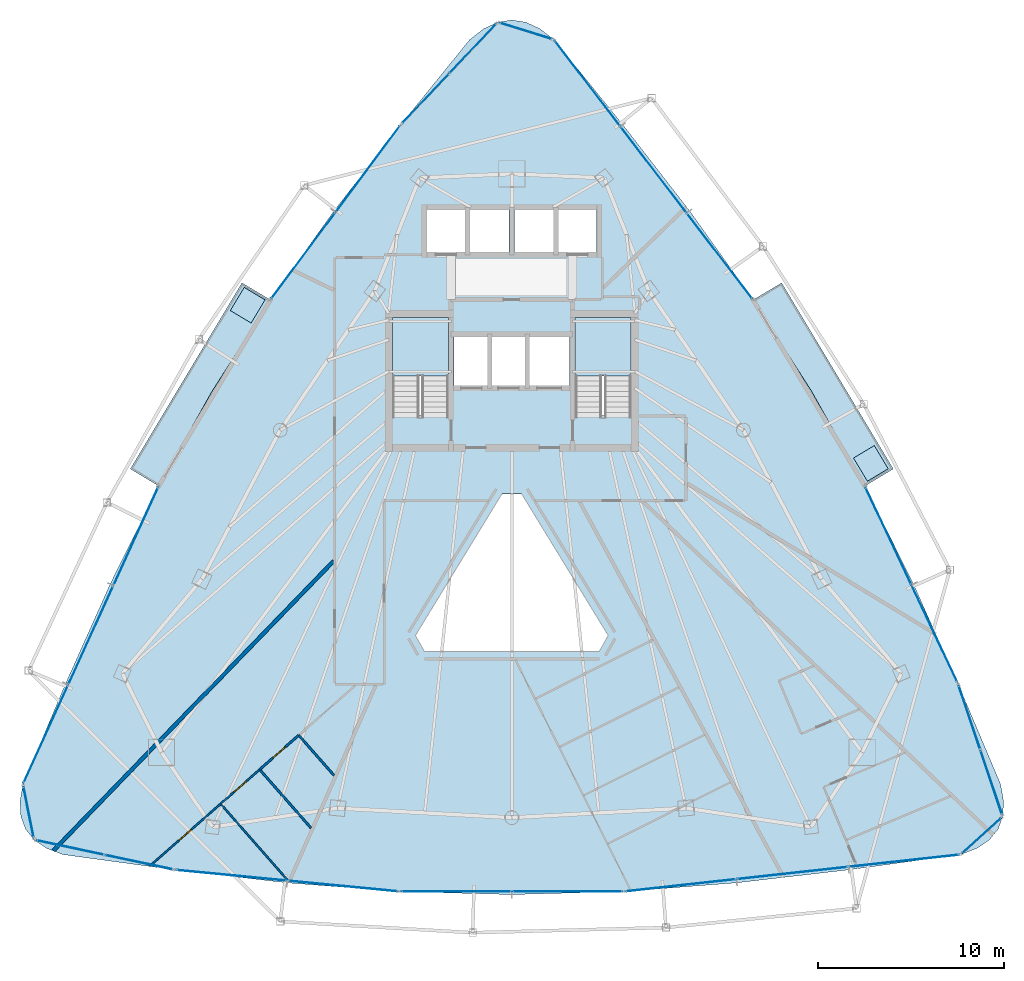
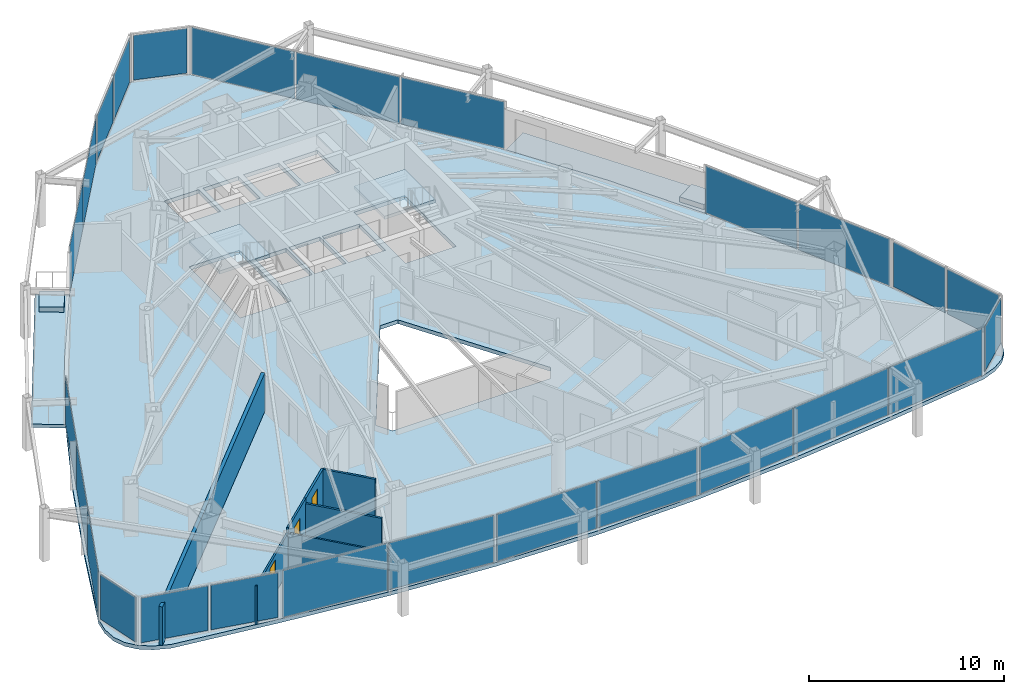
# One storey, part 25 of 31: 26 plates, 7 slabs, 7 walls, 3 doors, 3 openings, 15 elements without a shape of their own.
"""IFC4 building model written with IfcOpenShell, lengths in metres."""

import ifcopenshell
import ifcopenshell.guid

model = None  # the IFC model being written
_history = None  # IfcOwnerHistory: only IFC2X3 demands one
_inside = {}  # id of a spatial element -> (the spatial element, [elements in it])
_under = {}  # id of a project, library or spatial element -> (it, [spatial elements below it])
_declared = {}  # id of a project -> (the project, [libraries it declares])
_typed = {}  # id of a type object -> (the type object, [elements of that type])
_made_of = {}  # id of a material, layer set ... -> (it, [elements and type objects made of it])


def new_model(schema):
    """Start an empty IFC model of exactly this schema.

    Asked for "IFC4X3", IfcOpenShell would pick the latest addendum, in which some entities
    have other attributes; the version numbers below select the first issue.
    IFC2X3 requires an IfcOwnerHistory on every rooted entity: one is made here for all.
    """
    global model, _history
    if schema == "IFC4X3":
        model = ifcopenshell.file(schema_version=(4, 3, 0, 0))
    else:
        model = ifcopenshell.file(schema=schema)
    _inside.clear()
    _under.clear()
    _declared.clear()
    _typed.clear()
    _made_of.clear()
    _history = None
    if model.schema == "IFC2X3":
        org = make("IfcOrganization", Name="unknown")
        user = make(
            "IfcPersonAndOrganization",
            ThePerson=make("IfcPerson", FamilyName="unknown"),
            TheOrganization=org,
        )
        app = make(
            "IfcApplication",
            ApplicationDeveloper=org,
            Version="unknown",
            ApplicationFullName="unknown",
            ApplicationIdentifier="unknown",
        )
        _history = make(
            "IfcOwnerHistory",
            OwningUser=user,
            OwningApplication=app,
            ChangeAction="ADDED",
            CreationDate=0,
        )
    return model


def make(cls, **values):
    """One entity of the class cls with the attributes given. An attribute that is None is left unset."""
    return model.create_entity(
        cls, **{name: value for name, value in values.items() if value is not None}
    )


def rooted(cls, **values):
    """An entity with a GlobalId (a new one), such as an element, a storey or a relation."""
    return make(cls, GlobalId=ifcopenshell.guid.new(), OwnerHistory=_history, **values)


def si_unit(unit_type, name, prefix=None):
    """IfcSIUnit, for example si_unit("LENGTHUNIT", "METRE", prefix="MILLI")."""
    return make("IfcSIUnit", UnitType=unit_type, Prefix=prefix, Name=name)


def assignment(units):
    """IfcUnitAssignment: the units of a project."""
    return None if units is None else make("IfcUnitAssignment", Units=units)


def point(xyz):
    """IfcCartesianPoint."""
    return None if xyz is None else make("IfcCartesianPoint", Coordinates=xyz)


def direction(xyz):
    """IfcDirection."""
    return None if xyz is None else make("IfcDirection", DirectionRatios=xyz)


def frame(location, z_axis=None, x_axis=None):
    """IfcAxis2Placement3D, a coordinate frame: its origin and axes. An axis left out is left unset."""
    return make(
        "IfcAxis2Placement3D",
        Location=point(location),
        Axis=direction(z_axis),
        RefDirection=direction(x_axis),
    )


def frame_2d(location, x_axis=None):
    """IfcAxis2Placement2D, a coordinate frame in the plane: its origin and x axis."""
    return make(
        "IfcAxis2Placement2D", Location=point(location), RefDirection=direction(x_axis)
    )


def origin():
    """The frame at (0, 0, 0) with its axes left unset."""
    return frame((0.0, 0.0, 0.0))


def origin_2d():
    """The frame at (0, 0) in the plane with its x axis left unset."""
    return frame_2d((0.0, 0.0))


def place(relative_to, where):
    """IfcLocalPlacement: puts the frame where relative to a parent placement (None: the world)."""
    return make(
        "IfcLocalPlacement", PlacementRelTo=relative_to, RelativePlacement=where
    )


def context(
    kind, dimensions, precision=None, world=None, true_north=None, identifier=None
):
    """IfcGeometricRepresentationContext, for example the 3D "Model" context."""
    return make(
        "IfcGeometricRepresentationContext",
        ContextIdentifier=identifier,
        ContextType=kind,
        CoordinateSpaceDimension=dimensions,
        Precision=precision,
        WorldCoordinateSystem=world,
        TrueNorth=true_north,
    )


def subcontext(parent, identifier, kind, view, scale=None):
    """IfcGeometricRepresentationSubContext, for example "Body" below "Model"."""
    return make(
        "IfcGeometricRepresentationSubContext",
        ContextIdentifier=identifier,
        ContextType=kind,
        ParentContext=parent,
        TargetScale=scale,
        TargetView=view,
    )


def project(units=None, contexts=None):
    """IfcProject with its units and contexts."""
    return rooted(
        "IfcProject",
        Name="project",
        RepresentationContexts=contexts,
        UnitsInContext=assignment(units),
    )


def spatial(cls, under=None, at=None, **own):
    """A site, building, storey or space (cls), placed at a placement, below another one or the project."""
    s = rooted(cls, ObjectPlacement=at, **own)
    if under is not None:
        _under.setdefault(under.id(), (under, []))[1].append(s)
    return s


def polyline(points):
    """IfcPolyline through the points."""
    return make("IfcPolyline", Points=[point(p) for p in points])


def profile(cls, at=None, kind="AREA", **sizes):
    """A parametric profile (cls). Its sizes go by their IFC names, for example OverallWidth=200.0."""
    return make(cls, ProfileType=kind, Position=at, **sizes)


def rectangle(**sizes):
    """IfcRectangleProfileDef."""
    return profile("IfcRectangleProfileDef", **sizes)


def outline(outer, holes=None, kind="AREA"):
    """IfcArbitraryClosedProfileDef: a profile drawn as a closed curve; with holes, ...WithVoids."""
    if holes is None:
        return make("IfcArbitraryClosedProfileDef", ProfileType=kind, OuterCurve=outer)
    return make(
        "IfcArbitraryProfileDefWithVoids",
        ProfileType=kind,
        OuterCurve=outer,
        InnerCurves=holes,
    )


def extrude(swept, where, along, depth):
    """IfcExtrudedAreaSolid: the profile swept, set in the frame where, extruded along a direction by depth."""
    return make(
        "IfcExtrudedAreaSolid",
        SweptArea=swept,
        Position=where,
        ExtrudedDirection=direction(along),
        Depth=depth,
    )


def shape(context_of_items, identifier, shape_type, items):
    """IfcShapeRepresentation: the items that make up one representation, for example the "Body"."""
    return make(
        "IfcShapeRepresentation",
        ContextOfItems=context_of_items,
        RepresentationIdentifier=identifier,
        RepresentationType=shape_type,
        Items=items,
    )


def material(Name=None, Category=None):
    """IfcMaterial."""
    return make("IfcMaterial", Name=Name, Category=Category)


def layer(
    of_material, thickness, ventilated=None, Name=None, Category=None, Priority=None
):
    """IfcMaterialLayer: one layer of a wall or slab, of a material (None: an air gap)."""
    return make(
        "IfcMaterialLayer",
        Material=of_material,
        LayerThickness=thickness,
        IsVentilated=ventilated,
        Name=Name,
        Category=Category,
        Priority=Priority,
    )


def layer_set(layers, Name=None):
    """IfcMaterialLayerSet."""
    return make("IfcMaterialLayerSet", MaterialLayers=layers, LayerSetName=Name)


def made_of(thing, what):
    """Note that an element or type object is made of a material, layer set ...; save() writes the relation."""
    if what is not None:
        _made_of.setdefault(what.id(), (what, []))[1].append(thing)
    return thing


def type_object(cls, material=None, **own):
    """A type object (cls), such as IfcWallType, which elements share."""
    return made_of(rooted(cls, **own), material)


def element(
    cls,
    number,
    at=None,
    inside=None,
    cuts=None,
    type_object=None,
    material=None,
    context=None,
    identifier="Body",
    shape_type=None,
    held_by="IfcProductDefinitionShape",
    body=None,
    shapes=None,
    **own,
):
    """One element of the class cls, such as IfcWall. Its Tag is "e" and its number.

    at: its placement. inside: the storey or other place that contains it. cuts: it is an
    opening in that element (IfcRelVoidsElement). A single representation is given by context,
    identifier, shape_type and body (its items); several are given by shapes. held_by: the class
    of the entity that holds the representations. save() writes the other relations.
    """
    e = rooted(cls, Tag="e%d" % number, ObjectPlacement=at, **own)
    if body is not None:
        shapes = [shape(context, identifier, shape_type, body)]
    if shapes is not None:
        e.Representation = make(held_by, Representations=shapes)
    if inside is not None:
        _inside.setdefault(inside.id(), (inside, []))[1].append(e)
    if cuts is not None:
        rooted(
            "IfcRelVoidsElement", RelatingBuildingElement=cuts, RelatedOpeningElement=e
        )
    if type_object is not None:
        _typed.setdefault(type_object.id(), (type_object, []))[1].append(e)
    return made_of(e, material)


def fill(opening, filler):
    """IfcRelFillsElement: the door or window that sits in an opening."""
    return rooted(
        "IfcRelFillsElement",
        RelatingOpeningElement=opening,
        RelatedBuildingElement=filler,
    )


def aggregate(whole, parts):
    """IfcRelAggregates: a whole, such as a stair, and the parts it consists of."""
    return rooted("IfcRelAggregates", RelatingObject=whole, RelatedObjects=parts)


def save(model, path):
    """Write the relations noted so far, then the file.

    IfcRelAggregates (storeys below a building ...), IfcRelContainedInSpatialStructure (elements
    in a storey), IfcRelDefinesByType, IfcRelAssociatesMaterial and IfcRelDeclares: one each for
    every whole, place, type object, material and project.
    """
    for whole, parts in _under.values():
        aggregate(whole, parts)
    for where, things in _inside.values():
        rooted(
            "IfcRelContainedInSpatialStructure",
            RelatedElements=things,
            RelatingStructure=where,
        )
    for kind, things in _typed.values():
        rooted("IfcRelDefinesByType", RelatedObjects=things, RelatingType=kind)
    for what, things in _made_of.values():
        rooted("IfcRelAssociatesMaterial", RelatedObjects=things, RelatingMaterial=what)
    for by, libraries in _declared.values():
        rooted("IfcRelDeclares", RelatingContext=by, RelatedDefinitions=libraries)
    model.write(path)


model = new_model("IFC4")

# Units and contexts
model_context = context("Model", 3, precision=1e-05, world=origin(), true_north=direction((0.0, 1.0)))
body_context = subcontext(model_context, "Body", "Model", "MODEL_VIEW")
ifc_project = project(units=[si_unit("LENGTHUNIT", "METRE"), si_unit("AREAUNIT", "SQUARE_METRE"), si_unit("VOLUMEUNIT", "CUBIC_METRE"), si_unit("PLANEANGLEUNIT", "RADIAN"), si_unit("MASSUNIT", "GRAM", prefix="KILO")], contexts=[model_context])

# Site, building, storey
site_placement = place(None, origin())
site = spatial("IfcSite", under=ifc_project, at=site_placement, CompositionType="ELEMENT")
building_placement = place(site_placement, origin())
building = spatial("IfcBuilding", under=site, at=building_placement, Name="Orvanel Arch Residences", CompositionType="ELEMENT")
storey_placement = place(building_placement, frame((0.0, 0.0, 110.0)))
storey = spatial("IfcBuildingStorey", under=building, at=storey_placement, Name="L30", CompositionType="ELEMENT", Elevation=110.0)

# Curtain wall, plates
ifc_material_1 = material(Name="Bronze-anodised aluminium AA6063-T6", Category="aluminium")
ifc_layer_1 = layer(ifc_material_1, 0.179931640625)
ifc_layer_set_1 = layer_set([ifc_layer_1], Name="Bronze-anodised aluminium AA6063-T6")
curtain_wall_type_1 = type_object("IfcCurtainWallType", Name="CW3-MID-SYS", PredefinedType="NOTDEFINED", material=ifc_layer_set_1)
curtain_wall_1_placement = place(storey_placement, origin())
curtain_wall_1 = element("IfcCurtainWall", 1, at=curtain_wall_1_placement, inside=storey, type_object=curtain_wall_type_1, Name="L30 CW3-MID-SYS Unitised Curtain Wall", PredefinedType="NOTDEFINED")
ifc_material_2 = material(Name="Double-glazed solar-control low-E safety glass", Category="glass")
ifc_layer_2 = layer(ifc_material_2, 0.028076171875)
ifc_layer_set_2 = layer_set([ifc_layer_2], Name="Double-glazed solar-control low-E safety glass")
plate_type_1 = type_object("IfcPlateType", Name="PNL-GLZ-28", PredefinedType="CURTAIN_PANEL", material=ifc_layer_set_2)
plate_1_placement = place(storey_placement, frame((25.26953125, 41.6552734375, 0.06005859375), z_axis=(0.0, 0.0, 1.0), x_axis=(-0.596964580755, -0.802267592094, 0.0)))
plate_1 = element("IfcPlate", 2, at=plate_1_placement, type_object=plate_type_1, Name="CW-S3 panel 1.1", PredefinedType="CURTAIN_PANEL", context=body_context, shape_type="SweptSolid", body=[
    extrude(rectangle(XDim=5.727783203125, YDim=0.028076171875, at=origin_2d()), origin(), (0.0, 0.0, 1.0), 2.93994140625),
])
plate_2_placement = place(storey_placement, frame((21.808349609375, 37.00390625, 0.06005859375), z_axis=(0.0, 0.0, 1.0), x_axis=(-0.596964580755, -0.802267592094, 0.0)))
plate_2 = element("IfcPlate", 3, at=plate_2_placement, type_object=plate_type_1, Name="CW-S3 panel 2.1", PredefinedType="CURTAIN_PANEL", context=body_context, shape_type="SweptSolid", body=[
    extrude(rectangle(XDim=5.727783203125, YDim=0.028076171875, at=origin_2d()), origin(), (0.0, 0.0, 1.0), 2.93994140625),
])
aggregate(curtain_wall_1, [plate_1, plate_2])

curtain_wall_2_placement = place(storey_placement, origin())
curtain_wall_2 = element("IfcCurtainWall", 4, at=curtain_wall_2_placement, inside=storey, type_object=curtain_wall_type_1, Name="L30 CW3-MID-SYS Unitised Curtain Wall", PredefinedType="NOTDEFINED")
plate_3_placement = place(storey_placement, frame((12.826171875, 21.94970703125, 0.06005859375), z_axis=(0.0, 0.0, 1.0), x_axis=(-0.414361115258, -0.910112556864, 0.0)))
plate_3 = element("IfcPlate", 5, at=plate_3_placement, type_object=plate_type_1, Name="CW-S3 panel 1.1", PredefinedType="CURTAIN_PANEL", context=body_context, shape_type="SweptSolid", body=[
    extrude(rectangle(XDim=5.743408203125, YDim=0.028076171875, at=origin_2d()), origin(), (0.0, 0.0, 1.0), 2.93994140625),
])
plate_4_placement = place(storey_placement, frame((10.409912109375, 16.64306640625, 0.06005859375), z_axis=(0.0, 0.0, 1.0), x_axis=(-0.414361115258, -0.910112556864, 0.0)))
plate_4 = element("IfcPlate", 6, at=plate_4_placement, type_object=plate_type_1, Name="CW-S3 panel 2.1", PredefinedType="CURTAIN_PANEL", context=body_context, shape_type="SweptSolid", body=[
    extrude(rectangle(XDim=5.7783203125, YDim=0.028076171875, at=origin_2d()), origin(), (0.0, 0.0, 1.0), 2.93994140625),
])
plate_5_placement = place(storey_placement, frame((7.993896484375, 11.336181640625, 0.06005859375), z_axis=(0.0, 0.0, 1.0), x_axis=(-0.414361115258, -0.910112556864, 0.0)))
plate_5 = element("IfcPlate", 7, at=plate_5_placement, type_object=plate_type_1, Name="CW-S3 panel 3.1", PredefinedType="CURTAIN_PANEL", context=body_context, shape_type="SweptSolid", body=[
    extrude(rectangle(XDim=5.743408203125, YDim=0.028076171875, at=origin_2d()), origin(), (0.0, 0.0, 1.0), 2.93994140625),
])
aggregate(curtain_wall_2, [plate_3, plate_4, plate_5])

curtain_wall_3_placement = place(storey_placement, origin())
curtain_wall_3 = element("IfcCurtainWall", 8, at=curtain_wall_3_placement, inside=storey, type_object=curtain_wall_type_1, Name="L30 CW3-MID-SYS Unitised Curtain Wall", PredefinedType="NOTDEFINED")
plate_6_placement = place(storey_placement, frame((17.96923828125, 3.747802734375, 0.06005859375), z_axis=(0.0, 0.0, 1.0), x_axis=(0.995381496434, -0.095998315385, 0.0)))
plate_6 = element("IfcPlate", 9, at=plate_6_placement, type_object=plate_type_1, Name="CW-S3 panel 1.1", PredefinedType="CURTAIN_PANEL", context=body_context, shape_type="SweptSolid", body=[
    extrude(rectangle(XDim=5.92626953125, YDim=0.028076171875, at=origin_2d()), origin(), (0.0, 0.0, 1.0), 2.93994140625),
])
plate_7_placement = place(storey_placement, frame((23.937744140625, 3.172119140625, 0.06005859375), z_axis=(0.0, 0.0, 1.0), x_axis=(0.995381496434, -0.095998315385, 0.0)))
plate_7 = element("IfcPlate", 10, at=plate_7_placement, type_object=plate_type_1, Name="CW-S3 panel 2.1", PredefinedType="CURTAIN_PANEL", context=body_context, shape_type="SweptSolid", body=[
    extrude(rectangle(XDim=5.92626953125, YDim=0.028076171875, at=origin_2d()), origin(), (0.0, 0.0, 1.0), 2.93994140625),
])
aggregate(curtain_wall_3, [plate_6, plate_7])

curtain_wall_4_placement = place(storey_placement, origin())
curtain_wall_4 = element("IfcCurtainWall", 11, at=curtain_wall_4_placement, inside=storey, type_object=curtain_wall_type_1, Name="L30 CW3-MID-SYS Unitised Curtain Wall", PredefinedType="NOTDEFINED")
plate_8_placement = place(storey_placement, frame((30.01611328125, 2.87890625, 0.06005859375), z_axis=(0.0, 0.0, 1.0), x_axis=(1.0, 0.0, 0.0)))
plate_8 = element("IfcPlate", 12, at=plate_8_placement, type_object=plate_type_1, Name="CW-S3 panel 1.1", PredefinedType="CURTAIN_PANEL", context=body_context, shape_type="SweptSolid", body=[
    extrude(rectangle(XDim=5.89794921875, YDim=0.028076171875, at=origin_2d()), origin(), (0.0, 0.0, 1.0), 2.93994140625),
])
plate_9_placement = place(storey_placement, frame((35.98388671875, 2.87890625, 0.06005859375), z_axis=(0.0, 0.0, 1.0), x_axis=(1.0, 0.0, 0.0)))
plate_9 = element("IfcPlate", 13, at=plate_9_placement, type_object=plate_type_1, Name="CW-S3 panel 2.1", PredefinedType="CURTAIN_PANEL", context=body_context, shape_type="SweptSolid", body=[
    extrude(rectangle(XDim=5.89794921875, YDim=0.028076171875, at=origin_2d()), origin(), (0.0, 0.0, 1.0), 2.93994140625),
])
aggregate(curtain_wall_4, [plate_8, plate_9])

curtain_wall_5_placement = place(storey_placement, origin())
curtain_wall_5 = element("IfcCurtainWall", 14, at=curtain_wall_5_placement, inside=storey, type_object=curtain_wall_type_1, Name="L30 CW3-MID-SYS Unitised Curtain Wall", PredefinedType="NOTDEFINED")
plate_10_placement = place(storey_placement, frame((42.065673828125, 3.212890625, 0.06005859375), z_axis=(0.0, 0.0, 1.0), x_axis=(0.994024770117, 0.109154736008, 0.0)))
plate_10 = element("IfcPlate", 15, at=plate_10_placement, type_object=plate_type_1, Name="CW-S3 panel 1.1", PredefinedType="CURTAIN_PANEL", context=body_context, shape_type="SweptSolid", body=[
    extrude(rectangle(XDim=5.94140625, YDim=0.028076171875, at=origin_2d()), origin(), (0.0, 0.0, 1.0), 2.93994140625),
])
plate_11_placement = place(storey_placement, frame((48.05859375, 3.87109375, 0.06005859375), z_axis=(0.0, 0.0, 1.0), x_axis=(0.994024770117, 0.109154736008, 0.0)))
plate_11 = element("IfcPlate", 16, at=plate_11_placement, type_object=plate_type_1, Name="CW-S3 panel 2.1", PredefinedType="CURTAIN_PANEL", context=body_context, shape_type="SweptSolid", body=[
    extrude(rectangle(XDim=5.9765625, YDim=0.028076171875, at=origin_2d()), origin(), (0.0, 0.0, 1.0), 2.93994140625),
])
plate_12_placement = place(storey_placement, frame((54.051513671875, 4.529052734375, 0.06005859375), z_axis=(0.0, 0.0, 1.0), x_axis=(0.994024770117, 0.109154736008, 0.0)))
plate_12 = element("IfcPlate", 17, at=plate_12_placement, type_object=plate_type_1, Name="CW-S3 panel 3.1", PredefinedType="CURTAIN_PANEL", context=body_context, shape_type="SweptSolid", body=[
    extrude(rectangle(XDim=5.94140625, YDim=0.028076171875, at=origin_2d()), origin(), (0.0, 0.0, 1.0), 2.93994140625),
])
aggregate(curtain_wall_5, [plate_10, plate_11, plate_12])

curtain_wall_6_placement = place(storey_placement, origin())
curtain_wall_6 = element("IfcCurtainWall", 18, at=curtain_wall_6_placement, inside=storey, type_object=curtain_wall_type_1, Name="L30 CW3-MID-SYS Unitised Curtain Wall", PredefinedType="NOTDEFINED")
plate_13_placement = place(storey_placement, frame((55.681396484375, 16.7294921875, 0.06005859375), z_axis=(0.0, 0.0, 1.0), x_axis=(-0.42662661363, 0.904427848168, 0.0)))
plate_13 = element("IfcPlate", 19, at=plate_13_placement, type_object=plate_type_1, Name="CW-S3 panel 1.1", PredefinedType="CURTAIN_PANEL", context=body_context, shape_type="SweptSolid", body=[
    extrude(rectangle(XDim=5.72802734375, YDim=0.028076171875, at=origin_2d()), origin(), (0.0, 0.0, 1.0), 2.93994140625),
])
plate_14_placement = place(storey_placement, frame((53.207763671875, 21.973388671875, 0.06005859375), z_axis=(0.0, 0.0, 1.0), x_axis=(-0.42662661363, 0.904427848168, 0.0)))
plate_14 = element("IfcPlate", 20, at=plate_14_placement, type_object=plate_type_1, Name="CW-S3 panel 2.1", PredefinedType="CURTAIN_PANEL", context=body_context, shape_type="SweptSolid", body=[
    extrude(rectangle(XDim=5.72802734375, YDim=0.028076171875, at=origin_2d()), origin(), (0.0, 0.0, 1.0), 2.93994140625),
])
aggregate(curtain_wall_6, [plate_13, plate_14])

curtain_wall_7_placement = place(storey_placement, origin())
curtain_wall_7 = element("IfcCurtainWall", 21, at=curtain_wall_7_placement, inside=storey, type_object=curtain_wall_type_1, Name="L30 CW3-MID-SYS Unitised Curtain Wall", PredefinedType="NOTDEFINED")
plate_15_placement = place(storey_placement, frame((44.15478515625, 36.985595703125, 0.06005859375), z_axis=(0.0, 0.0, 1.0), x_axis=(-0.607904887805, 0.794009853454, 0.0)))
plate_15 = element("IfcPlate", 22, at=plate_15_placement, type_object=plate_type_1, Name="CW-S3 panel 1.1", PredefinedType="CURTAIN_PANEL", context=body_context, shape_type="SweptSolid", body=[
    extrude(rectangle(XDim=5.742919921875, YDim=0.028076171875, at=origin_2d()), origin(), (0.0, 0.0, 1.0), 2.93994140625),
])
plate_16_placement = place(storey_placement, frame((40.610595703125, 41.614990234375, 0.06005859375), z_axis=(0.0, 0.0, 1.0), x_axis=(-0.607904887805, 0.794009853454, 0.0)))
plate_16 = element("IfcPlate", 23, at=plate_16_placement, type_object=plate_type_1, Name="CW-S3 panel 2.1", PredefinedType="CURTAIN_PANEL", context=body_context, shape_type="SweptSolid", body=[
    extrude(rectangle(XDim=5.778076171875, YDim=0.028076171875, at=origin_2d()), origin(), (0.0, 0.0, 1.0), 2.93994140625),
])
plate_17_placement = place(storey_placement, frame((37.066162109375, 46.244384765625, 0.06005859375), z_axis=(0.0, 0.0, 1.0), x_axis=(-0.607904887805, 0.794009853454, 0.0)))
plate_17 = element("IfcPlate", 24, at=plate_17_placement, type_object=plate_type_1, Name="CW-S3 panel 3.1", PredefinedType="CURTAIN_PANEL", context=body_context, shape_type="SweptSolid", body=[
    extrude(rectangle(XDim=5.742919921875, YDim=0.028076171875, at=origin_2d()), origin(), (0.0, 0.0, 1.0), 2.93994140625),
])
aggregate(curtain_wall_7, [plate_15, plate_16, plate_17])

# Curtain wall, plate
ifc_layer_3 = layer(ifc_material_1, 0.18994140625)
ifc_layer_set_3 = layer_set([ifc_layer_3], Name="Bronze-anodised aluminium AA6063-T6")
curtain_wall_type_2 = type_object("IfcCurtainWallType", Name="CW5-CRN-SYS", PredefinedType="NOTDEFINED", material=ifc_layer_set_3)
curtain_wall_8_placement = place(storey_placement, origin())
curtain_wall_8 = element("IfcCurtainWall", 25, at=curtain_wall_8_placement, inside=storey, type_object=curtain_wall_type_2, Name="L30 CW5-CRN-SYS Unitised Curtain Wall", PredefinedType="NOTDEFINED")
ifc_layer_4 = layer(ifc_material_2, 0.031982421875)
ifc_layer_set_4 = layer_set([ifc_layer_4], Name="Double-glazed solar-control low-E safety glass")
plate_type_2 = type_object("IfcPlateType", Name="PNL-GLZ-32", PredefinedType="CURTAIN_PANEL", material=ifc_layer_set_4)
plate_18_placement = place(storey_placement, frame((33.755615234375, 49.06591796875, 0.1298828125), z_axis=(0.0, 0.0, 1.0), x_axis=(-0.954860811734, 0.297053581385, 0.0)))
plate_18 = element("IfcPlate", 26, at=plate_18_placement, type_object=plate_type_2, Name="CW-S5 panel 1.1", PredefinedType="CURTAIN_PANEL", context=body_context, shape_type="SweptSolid", body=[
    extrude(rectangle(XDim=2.823974609375, YDim=0.031982421875, at=origin_2d()), origin(), (0.0, 0.0, 1.0), 2.800048828125),
])
aggregate(curtain_wall_8, [plate_18])

# Curtain wall, plates
curtain_wall_9_placement = place(storey_placement, origin())
curtain_wall_9 = element("IfcCurtainWall", 27, at=curtain_wall_9_placement, inside=storey, type_object=curtain_wall_type_2, Name="L30 CW5-CRN-SYS Unitised Curtain Wall", PredefinedType="NOTDEFINED")
plate_19_placement = place(storey_placement, frame((30.9091796875, 48.12353515625, 0.1298828125), z_axis=(0.0, 0.0, 1.0), x_axis=(-0.687148803873, -0.7265167041, 0.0)))
plate_19 = element("IfcPlate", 28, at=plate_19_placement, type_object=plate_type_2, Name="CW-S5 panel 1.1", PredefinedType="CURTAIN_PANEL", context=body_context, shape_type="SweptSolid", body=[
    extrude(rectangle(XDim=3.547119140625, YDim=0.031982421875, at=origin_2d()), origin(), (0.0, 0.0, 1.0), 2.800048828125),
])
plate_20_placement = place(storey_placement, frame((28.36865234375, 45.4375, 0.1298828125), z_axis=(0.0, 0.0, 1.0), x_axis=(-0.687148803873, -0.7265167041, 0.0)))
plate_20 = element("IfcPlate", 29, at=plate_20_placement, type_object=plate_type_2, Name="CW-S5 panel 2.1", PredefinedType="CURTAIN_PANEL", context=body_context, shape_type="SweptSolid", body=[
    extrude(rectangle(XDim=3.547119140625, YDim=0.031982421875, at=origin_2d()), origin(), (0.0, 0.0, 1.0), 2.800048828125),
])
aggregate(curtain_wall_9, [plate_19, plate_20])

# Curtain wall, plate
curtain_wall_10_placement = place(storey_placement, origin())
curtain_wall_10 = element("IfcCurtainWall", 30, at=curtain_wall_10_placement, inside=storey, type_object=curtain_wall_type_2, Name="L30 CW5-CRN-SYS Unitised Curtain Wall", PredefinedType="NOTDEFINED")
plate_21_placement = place(storey_placement, frame((7.06494140625, 7.146484375, 0.1298828125), z_axis=(0.0, 0.0, 1.0), x_axis=(0.195540530712, -0.980695620898, 0.0)))
plate_21 = element("IfcPlate", 31, at=plate_21_placement, type_object=plate_type_2, Name="CW-S5 panel 1.1", PredefinedType="CURTAIN_PANEL", context=body_context, shape_type="SweptSolid", body=[
    extrude(rectangle(XDim=2.70703125, YDim=0.031982421875, at=origin_2d()), origin(), (0.0, 0.0, 1.0), 2.800048828125),
])
aggregate(curtain_wall_10, [plate_21])

# Curtain wall, plates
curtain_wall_11_placement = place(storey_placement, origin())
curtain_wall_11 = element("IfcCurtainWall", 32, at=curtain_wall_11_placement, inside=storey, type_object=curtain_wall_type_2, Name="L30 CW5-CRN-SYS Unitised Curtain Wall", PredefinedType="NOTDEFINED")
plate_22_placement = place(storey_placement, frame((9.301513671875, 5.239501953125, 0.1298828125), z_axis=(0.0, 0.0, 1.0), x_axis=(0.978065955082, -0.208295433244, 0.0)))
plate_22 = element("IfcPlate", 33, at=plate_22_placement, type_object=plate_type_2, Name="CW-S5 panel 1.1", PredefinedType="CURTAIN_PANEL", context=body_context, shape_type="SweptSolid", body=[
    extrude(rectangle(XDim=3.622802734375, YDim=0.031982421875, at=origin_2d()), origin(), (0.0, 0.0, 1.0), 2.800048828125),
])
plate_23_placement = place(storey_placement, frame((12.991455078125, 4.45361328125, 0.1298828125), z_axis=(0.0, 0.0, 1.0), x_axis=(0.978065955082, -0.208295433244, 0.0)))
plate_23 = element("IfcPlate", 34, at=plate_23_placement, type_object=plate_type_2, Name="CW-S5 panel 2.1", PredefinedType="CURTAIN_PANEL", context=body_context, shape_type="SweptSolid", body=[
    extrude(rectangle(XDim=3.622802734375, YDim=0.031982421875, at=origin_2d()), origin(), (0.0, 0.0, 1.0), 2.800048828125),
])
aggregate(curtain_wall_11, [plate_22, plate_23])

# Curtain wall, plate
curtain_wall_12_placement = place(storey_placement, origin())
curtain_wall_12 = element("IfcCurtainWall", 35, at=curtain_wall_12_placement, inside=storey, type_object=curtain_wall_type_2, Name="L30 CW5-CRN-SYS Unitised Curtain Wall", PredefinedType="NOTDEFINED")
plate_24_placement = place(storey_placement, frame((58.221923828125, 5.886962890625, 0.1298828125), z_axis=(0.0, 0.0, 1.0), x_axis=(0.740210851993, 0.672374817042, 0.0)))
plate_24 = element("IfcPlate", 36, at=plate_24_placement, type_object=plate_type_2, Name="CW-S5 panel 1.1", PredefinedType="CURTAIN_PANEL", context=body_context, shape_type="SweptSolid", body=[
    extrude(rectangle(XDim=2.707275390625, YDim=0.031982421875, at=origin_2d()), origin(), (0.0, 0.0, 1.0), 2.800048828125),
])
aggregate(curtain_wall_12, [plate_24])

# Curtain wall, plates
curtain_wall_13_placement = place(storey_placement, origin())
curtain_wall_13 = element("IfcCurtainWall", 37, at=curtain_wall_13_placement, inside=storey, type_object=curtain_wall_type_2, Name="L30 CW5-CRN-SYS Unitised Curtain Wall", PredefinedType="NOTDEFINED")
plate_25_placement = place(storey_placement, frame((58.73291015625, 8.74267578125, 0.1298828125), z_axis=(0.0, 0.0, 1.0), x_axis=(-0.319385206856, 0.947624973099, 0.0)))
plate_25 = element("IfcPlate", 38, at=plate_25_placement, type_object=plate_type_2, Name="CW-S5 panel 1.1", PredefinedType="CURTAIN_PANEL", context=body_context, shape_type="SweptSolid", body=[
    extrude(rectangle(XDim=3.52587890625, YDim=0.031982421875, at=origin_2d()), origin(), (0.0, 0.0, 1.0), 2.800048828125),
])
plate_26_placement = place(storey_placement, frame((57.55908203125, 12.226318359375, 0.1298828125), z_axis=(0.0, 0.0, 1.0), x_axis=(-0.319385206856, 0.947624973099, 0.0)))
plate_26 = element("IfcPlate", 39, at=plate_26_placement, type_object=plate_type_2, Name="CW-S5 panel 2.1", PredefinedType="CURTAIN_PANEL", context=body_context, shape_type="SweptSolid", body=[
    extrude(rectangle(XDim=3.52587890625, YDim=0.031982421875, at=origin_2d()), origin(), (0.0, 0.0, 1.0), 2.800048828125),
])
aggregate(curtain_wall_13, [plate_25, plate_26])

# Slabs
ifc_material_3 = material(Name="Concrete N40 (40 MPa)", Category="concrete")
ifc_layer_5 = layer(ifc_material_3, 0.215087890625)
ifc_layer_set_5 = layer_set([ifc_layer_5], Name="Concrete N40 (40 MPa)")
slab_type_1 = type_object("IfcSlabType", Name="SLB-BAL-215", PredefinedType="FLOOR", material=ifc_layer_set_5)
slab_1_placement = place(storey_placement, frame((0.0, 0.0, -0.215087890625)))
element("IfcSlab", 40, at=slab_1_placement, inside=storey, type_object=slab_type_1, Name="L30 Cantilevered Balcony Slab Face 3", PredefinedType="FLOOR", context=body_context, shape_type="SweptSolid", body=[
    extrude(outline(polyline([(53.47412109375, 25.56005859375), (47.48193359375, 35.549072265625), (45.955078125, 34.634033203125), (49.092041015625, 29.722900390625), (51.947021484375, 24.64501953125), (53.47412109375, 25.56005859375)])), origin(), (0.0, 0.0, 1.0), 0.215087890625),
])
slab_2_placement = place(storey_placement, frame((0.0, 0.0, -0.215087890625)))
element("IfcSlab", 41, at=slab_2_placement, inside=storey, type_object=slab_type_1, Name="L30 Cantilevered Balcony Slab Face 1", PredefinedType="FLOOR", context=body_context, shape_type="SweptSolid", body=[
    extrude(outline(polyline([(18.51806640625, 35.549072265625), (12.52587890625, 25.56005859375), (14.052978515625, 24.64501953125), (16.908935546875, 29.722900390625), (20.044921875, 34.634033203125), (18.51806640625, 35.549072265625)])), origin(), (0.0, 0.0, 1.0), 0.215087890625),
])

# Stair, slab
ifc_material_4 = material(Name="Precast concrete N50 (50 MPa)", Category="concrete")
stair_type = type_object("IfcStairType", Name="STR-DOG-184", PredefinedType="USERDEFINED", material=ifc_material_4)
stair_1_placement = place(storey_placement, origin())
stair_1 = element("IfcStair", 42, at=stair_1_placement, inside=storey, type_object=stair_type, Name="L30 Fire-Isolated Core Exit Stair 1", ObjectType="TWO_RETURN_STAIR", PredefinedType="USERDEFINED")
ifc_layer_6 = layer(ifc_material_3, 0.199951171875)
ifc_layer_set_6 = layer_set([ifc_layer_6], Name="Concrete N40 (40 MPa)")
slab_type_2 = type_object("IfcSlabType", Name="SLB-LND-200", PredefinedType="LANDING", material=ifc_layer_set_6)
slab_3_placement = place(storey_placement, frame((0.0, 0.0, 1.449951171875)))
slab_3 = element("IfcSlab", 43, at=slab_3_placement, type_object=slab_type_2, Name="ST-1 landing 1", PredefinedType="LANDING", context=body_context, shape_type="SweptSolid", body=[
    extrude(outline(polyline([(29.60009765625, 30.56005859375), (29.60009765625, 33.699951171875), (26.60009765625, 33.699951171875), (26.60009765625, 30.56005859375), (29.60009765625, 30.56005859375)])), origin(), (0.0, 0.0, 1.0), 0.199951171875),
])
aggregate(stair_1, [slab_3])

stair_2_placement = place(storey_placement, origin())
stair_2 = element("IfcStair", 44, at=stair_2_placement, inside=storey, type_object=stair_type, Name="L30 Fire-Isolated Core Exit Stair 2", ObjectType="TWO_RETURN_STAIR", PredefinedType="USERDEFINED")
slab_4_placement = place(storey_placement, frame((0.0, 0.0, 1.449951171875)))
slab_4 = element("IfcSlab", 45, at=slab_4_placement, type_object=slab_type_2, Name="ST-2 landing 1", PredefinedType="LANDING", context=body_context, shape_type="SweptSolid", body=[
    extrude(outline(polyline([(39.39990234375, 30.56005859375), (39.39990234375, 33.699951171875), (36.39990234375, 33.699951171875), (36.39990234375, 30.56005859375), (39.39990234375, 30.56005859375)])), origin(), (0.0, 0.0, 1.0), 0.199951171875),
])
aggregate(stair_2, [slab_4])

# Slabs
ifc_material_5 = material(Name="Structural architectural precast concrete N40 (40 MPa) planter", Category="concrete")
ifc_layer_7 = layer(ifc_material_5, 0.320068359375)
ifc_layer_set_7 = layer_set([ifc_layer_7], Name="Structural architectural precast concrete N40 (40 MPa) planter")
slab_type_3 = type_object("IfcSlabType", Name="SLB-PLN-320", PredefinedType="USERDEFINED", material=ifc_layer_set_7)
slab_5_placement = place(storey_placement, origin())
element("IfcSlab", 46, at=slab_5_placement, inside=storey, type_object=slab_type_3, Name="L30 Balcony TREE PLANTER Face 3", ObjectType="PLANTER", PredefinedType="USERDEFINED", context=body_context, shape_type="SweptSolid", body=[
    extrude(outline(polyline([(53.198974609375, 25.571044921875), (52.452880859375, 26.81396484375), (51.339111328125, 26.14501953125), (52.083984375, 24.902099609375), (53.198974609375, 25.571044921875)])), origin(), (0.0, 0.0, 1.0), 0.320068359375),
])
slab_6_placement = place(storey_placement, origin())
element("IfcSlab", 47, at=slab_6_placement, inside=storey, type_object=slab_type_3, Name="L30 Balcony TREE PLANTER Face 1", ObjectType="PLANTER", PredefinedType="USERDEFINED", context=body_context, shape_type="SweptSolid", body=[
    extrude(outline(polyline([(18.637939453125, 35.302001953125), (17.89208984375, 34.05908203125), (19.007080078125, 33.389892578125), (19.7529296875, 34.634033203125), (18.637939453125, 35.302001953125)])), origin(), (0.0, 0.0, 1.0), 0.320068359375),
])
ifc_layer_8 = layer(ifc_material_3, 0.239990234375)
ifc_layer_set_8 = layer_set([ifc_layer_8], Name="Concrete N40 (40 MPa)")
slab_type_4 = type_object("IfcSlabType", Name="SLB-TYP-240", PredefinedType="FLOOR", material=ifc_layer_set_8)
slab_7_placement = place(storey_placement, frame((0.0, 0.0, -0.239990234375)))
element("IfcSlab", 48, at=slab_7_placement, inside=storey, type_object=slab_type_4, Name="L30 Tower Floor Slab", PredefinedType="FLOOR", context=body_context, shape_type="SweptSolid", body=[
    extrude(outline(polyline([(35.26611328125, 48.595947265625), (34.510986328125, 49.18408203125), (33.7548828125, 49.535888671875), (33.0, 49.654052734375), (32.2451171875, 49.535888671875), (31.489013671875, 49.18408203125), (30.73388671875, 48.595947265625), (27.032958984375, 44.02490234375), (23.43994140625, 39.388916015625), (20.044921875, 34.634033203125), (16.908935546875, 29.722900390625), (14.052978515625, 24.64501953125), (11.4560546875, 19.410888671875), (9.05810546875, 14.05810546875), (6.76708984375, 8.64111328125), (6.60498046875, 7.717041015625), (6.64990234375, 6.910888671875), (6.903076171875, 6.222900390625), (7.363037109375, 5.652099609375), (8.031005859375, 5.198974609375), (8.906005859375, 4.863037109375), (14.929931640625, 4.041015625), (20.952880859375, 3.343994140625), (26.97705078125, 2.87890625), (33.0, 2.715087890625), (39.02294921875, 2.87890625), (45.047119140625, 3.343994140625), (51.071044921875, 4.041015625), (57.093994140625, 4.863037109375), (57.968994140625, 5.198974609375), (58.636962890625, 5.652099609375), (59.096923828125, 6.222900390625), (59.35009765625, 6.910888671875), (59.39501953125, 7.717041015625), (59.23291015625, 8.64111328125), (56.94189453125, 14.05810546875), (54.5439453125, 19.410888671875), (51.947021484375, 24.64501953125), (49.092041015625, 29.722900390625), (45.955078125, 34.634033203125), (42.56005859375, 39.388916015625), (38.967041015625, 44.02490234375), (35.26611328125, 48.595947265625)]), holes=[polyline([(26.60009765625, 28.429931640625), (26.60009765625, 33.699951171875), (29.60009765625, 33.699951171875), (29.60009765625, 28.429931640625), (26.60009765625, 28.429931640625)]), polyline([(36.39990234375, 28.429931640625), (36.39990234375, 33.699951171875), (39.39990234375, 33.699951171875), (39.39990234375, 28.429931640625), (36.39990234375, 28.429931640625)]), polyline([(29.89990234375, 32.64990234375), (31.75, 32.64990234375), (31.75, 29.949951171875), (29.89990234375, 29.949951171875), (29.89990234375, 32.64990234375)]), polyline([(31.89990234375, 32.64990234375), (33.75, 32.64990234375), (33.75, 29.949951171875), (31.89990234375, 29.949951171875), (31.89990234375, 32.64990234375)]), polyline([(33.89990234375, 32.64990234375), (36.10009765625, 32.64990234375), (36.10009765625, 29.949951171875), (33.89990234375, 29.949951171875), (33.89990234375, 32.64990234375)]), polyline([(28.449951171875, 39.449951171875), (30.5, 39.449951171875), (30.5, 37.199951171875), (28.449951171875, 37.199951171875), (28.449951171875, 39.449951171875)]), polyline([(35.5, 39.449951171875), (37.550048828125, 39.449951171875), (37.550048828125, 37.199951171875), (35.5, 37.199951171875), (35.5, 39.449951171875)]), polyline([(30.75, 39.449951171875), (32.85009765625, 39.449951171875), (32.85009765625, 37.199951171875), (30.75, 37.199951171875), (30.75, 39.449951171875)]), polyline([(33.14990234375, 39.449951171875), (35.25, 39.449951171875), (35.25, 37.199951171875), (33.14990234375, 37.199951171875), (33.14990234375, 39.449951171875)]), polyline([(38.175048828125, 16.6220703125), (37.694091796875, 15.763916015625), (28.305908203125, 15.763916015625), (27.824951171875, 16.6220703125), (32.47607421875, 24.22998046875), (33.52392578125, 24.22998046875), (38.175048828125, 16.6220703125)])]), origin(), (0.0, 0.0, 1.0), 0.239990234375),
])

# Wall
ifc_material_6 = material(Name="Fire-rated plasterboard lined steel stud partition", Category="steel")
ifc_layer_9 = layer(ifc_material_6, 0.199951171875)
ifc_layer_set_9 = layer_set([ifc_layer_9], Name="Fire-rated plasterboard lined steel stud partition")
wall_type_1 = type_object("IfcWallType", Name="W-DEM-200", PredefinedType="PARTITIONING", material=ifc_layer_set_9)
wall_1_placement = place(storey_placement, frame((23.43994140625, 20.62109375, 0.0), z_axis=(0.0, 0.0, 1.0), x_axis=(-0.695405261367, -0.718617786075, 0.0)))
element("IfcWall", 49, at=wall_1_placement, inside=storey, type_object=wall_type_1, Name="L30 Inter-Tenancy Acoustic Demising Wall", PredefinedType="PARTITIONING", context=body_context, shape_type="SweptSolid", body=[
    extrude(rectangle(XDim=21.634765625, YDim=0.199951171875, at=frame_2d((10.8173828125, 0.0))), origin(), (0.0, 0.0, 1.0), 2.4130859375),
])

# Wall, opening, door
ifc_material_7 = material(Name="Acoustic plasterboard lined twin-stud partition", Category="gypsum")
ifc_layer_10 = layer(ifc_material_7, 0.10009765625)
ifc_layer_set_10 = layer_set([ifc_layer_10], Name="Acoustic plasterboard lined twin-stud partition")
wall_type_2 = type_object("IfcWallType", Name="W-INT-100", PredefinedType="PARTITIONING", material=ifc_layer_set_10)
wall_2_placement = place(storey_placement, frame((17.3701171875, 7.5859375, 0.0), z_axis=(0.0, 0.0, 1.0), x_axis=(-0.751292920188, -0.659968899324, 0.0)))
wall_2 = element("IfcWall", 50, at=wall_2_placement, inside=storey, type_object=wall_type_2, Name="L30 Flat E Internal Partition", PredefinedType="PARTITIONING", context=body_context, shape_type="SweptSolid", body=[
    extrude(rectangle(XDim=5.0712890625, YDim=0.10009765625, at=frame_2d((2.53564453125, 0.0))), origin(), (0.0, 0.0, 1.0), 2.4130859375),
])
opening_1_placement = place(wall_2_placement, frame((2.095947265625, 0.0, 0.0)))
opening_1 = element("IfcOpeningElement", 51, at=opening_1_placement, cuts=wall_2, Name="Opening DI-088", PredefinedType="OPENING", context=body_context, shape_type="SweptSolid", body=[
    extrude(rectangle(XDim=0.8798828125, YDim=2.10009765625, at=frame_2d((0.43994140625, 1.050048828125))), frame((0.0, 0.06005859375, 0.0), z_axis=(0.0, -1.0, 0.0), x_axis=(1.0, 0.0, 0.0)), (0.0, 0.0, 1.0), 0.1201171875),
])
ifc_material_8 = material(Name="Solid-core European oak veneer fire door leaf", Category="wood")
door_type = type_object("IfcDoorType", Name="DR-INT-880", OperationType="NOTDEFINED", PredefinedType="DOOR", material=ifc_material_8)
door_1_placement = place(opening_1_placement, origin())
door_1 = element("IfcDoor", 52, at=door_1_placement, inside=storey, type_object=door_type, Name="DR-L30-E-BED1 L30 Flat E Bedroom 1 Door", OperationType="SINGLE_SWING_LEFT", OverallHeight=2.10009765625, OverallWidth=0.8798828125, PredefinedType="DOOR", context=body_context, shape_type="SweptSolid", body=[
    extrude(rectangle(XDim=0.8798828125, YDim=2.10009765625, at=frame_2d((0.43994140625, 1.050048828125))), frame((0.0, 0.02490234375, 0.0), z_axis=(0.0, -1.0, 0.0), x_axis=(1.0, 0.0, 0.0)), (0.0, 0.0, 1.0), 0.050048828125),
])
fill(opening_1, door_1)

wall_3_placement = place(storey_placement, frame((19.467041015625, 9.427001953125, 0.0), z_axis=(0.0, 0.0, 1.0), x_axis=(-0.751464558758, -0.659773458795, 0.0)))
wall_3 = element("IfcWall", 53, at=wall_3_placement, inside=storey, type_object=wall_type_2, Name="L30 Flat E Internal Partition", PredefinedType="PARTITIONING", context=body_context, shape_type="SweptSolid", body=[
    extrude(rectangle(XDim=2.79052734375, YDim=0.10009765625, at=frame_2d((1.395263671875, 0.0))), origin(), (0.0, 0.0, 1.0), 2.720947265625),
])
opening_2_placement = place(wall_3_placement, frame((0.955078125, 0.0, 0.0)))
opening_2 = element("IfcOpeningElement", 54, at=opening_2_placement, cuts=wall_3, Name="Opening DI-088", PredefinedType="OPENING", context=body_context, shape_type="SweptSolid", body=[
    extrude(rectangle(XDim=0.8798828125, YDim=2.10009765625, at=frame_2d((0.43994140625, 1.050048828125))), frame((0.0, 0.06005859375, 0.0), z_axis=(0.0, -1.0, 0.0), x_axis=(1.0, 0.0, 0.0)), (0.0, 0.0, 1.0), 0.1201171875),
])
door_2_placement = place(opening_2_placement, origin())
door_2 = element("IfcDoor", 55, at=door_2_placement, inside=storey, type_object=door_type, Name="DR-L30-E-DIN2 L30 Flat E Dining Room 2 Door", OperationType="SINGLE_SWING_LEFT", OverallHeight=2.10009765625, OverallWidth=0.8798828125, PredefinedType="DOOR", context=body_context, shape_type="SweptSolid", body=[
    extrude(rectangle(XDim=0.8798828125, YDim=2.10009765625, at=frame_2d((0.43994140625, 1.050048828125))), frame((0.0, 0.02490234375, 0.0), z_axis=(0.0, -1.0, 0.0), x_axis=(1.0, 0.0, 0.0)), (0.0, 0.0, 1.0), 0.050048828125),
])
fill(opening_2, door_2)

# Wall
wall_4_placement = place(storey_placement, frame((17.3701171875, 7.5859375, 0.0), z_axis=(0.0, 0.0, 1.0), x_axis=(0.659851528992, -0.751396007234, 0.0)))
element("IfcWall", 56, at=wall_4_placement, inside=storey, type_object=wall_type_2, Name="L30 Flat E Internal Partition", PredefinedType="PARTITIONING", context=body_context, shape_type="SweptSolid", body=[
    extrude(rectangle(XDim=5.47509765625, YDim=0.10009765625, at=frame_2d((2.737548828125, 0.0))), origin(), (0.0, 0.0, 1.0), 2.4130859375),
])

# Wall, opening, door
ifc_layer_11 = layer(ifc_material_7, 0.1201171875)
ifc_layer_set_11 = layer_set([ifc_layer_11], Name="Acoustic plasterboard lined twin-stud partition")
wall_type_3 = type_object("IfcWallType", Name="W-WET-120", PredefinedType="PARTITIONING", material=ifc_layer_set_11)
wall_5_placement = place(storey_placement, frame((21.56298828125, 11.26904296875, 0.0), z_axis=(0.0, 0.0, 1.0), x_axis=(-0.751138604229, -0.660144527537, 0.0)))
wall_5 = element("IfcWall", 57, at=wall_5_placement, inside=storey, type_object=wall_type_3, Name="L30 Flat E Internal Partition", PredefinedType="PARTITIONING", context=body_context, shape_type="SweptSolid", body=[
    extrude(rectangle(XDim=2.790283203125, YDim=0.1201171875, at=frame_2d((1.39501953125, 0.0))), origin(), (0.0, 0.0, 1.0), 2.720947265625),
])
opening_3_placement = place(wall_5_placement, frame((0.955078125, 0.0, 0.0)))
opening_3 = element("IfcOpeningElement", 58, at=opening_3_placement, cuts=wall_5, Name="Opening DI-088", PredefinedType="OPENING", context=body_context, shape_type="SweptSolid", body=[
    extrude(rectangle(XDim=0.8798828125, YDim=2.10009765625, at=frame_2d((0.43994140625, 1.050048828125))), frame((0.0, 0.070068359375, 0.0), z_axis=(0.0, -1.0, 0.0), x_axis=(1.0, 0.0, 0.0)), (0.0, 0.0, 1.0), 0.14013671875),
])
door_3_placement = place(opening_3_placement, origin())
door_3 = element("IfcDoor", 59, at=door_3_placement, inside=storey, type_object=door_type, Name="DR-L30-E-KIT L30 Flat E Kitchen Door", OperationType="SINGLE_SWING_LEFT", OverallHeight=2.10009765625, OverallWidth=0.8798828125, PredefinedType="DOOR", context=body_context, shape_type="SweptSolid", body=[
    extrude(rectangle(XDim=0.8798828125, YDim=2.10009765625, at=frame_2d((0.43994140625, 1.050048828125))), frame((0.0, 0.02490234375, 0.0), z_axis=(0.0, -1.0, 0.0), x_axis=(1.0, 0.0, 0.0)), (0.0, 0.0, 1.0), 0.050048828125),
])
fill(opening_3, door_3)

# Walls
wall_6_placement = place(storey_placement, frame((23.467041015625, 9.10205078125, 0.0), z_axis=(0.0, 0.0, 1.0), x_axis=(-0.660061062947, 0.751211949573, 0.0)))
element("IfcWall", 60, at=wall_6_placement, inside=storey, type_object=wall_type_3, Name="L30 Flat E Bathroom Partition", PredefinedType="PARTITIONING", context=body_context, shape_type="SweptSolid", body=[
    extrude(rectangle(XDim=2.884765625, YDim=0.1201171875, at=frame_2d((1.4423828125, 0.0))), origin(), (0.0, 0.0, 1.0), 2.720947265625),
])
wall_7_placement = place(storey_placement, frame((22.22509765625, 6.287109375, 0.0), z_axis=(0.0, 0.0, 1.0), x_axis=(-0.659946783628, 0.751312347016, 0.0)))
element("IfcWall", 61, at=wall_7_placement, inside=storey, type_object=wall_type_3, Name="L30 Flat E Internal Partition", PredefinedType="PARTITIONING", context=body_context, shape_type="SweptSolid", body=[
    extrude(rectangle(XDim=4.17919921875, YDim=0.1201171875, at=frame_2d((2.089599609375, 0.0))), origin(), (0.0, 0.0, 1.0), 2.4130859375),
])

save(model, "model.ifc")
